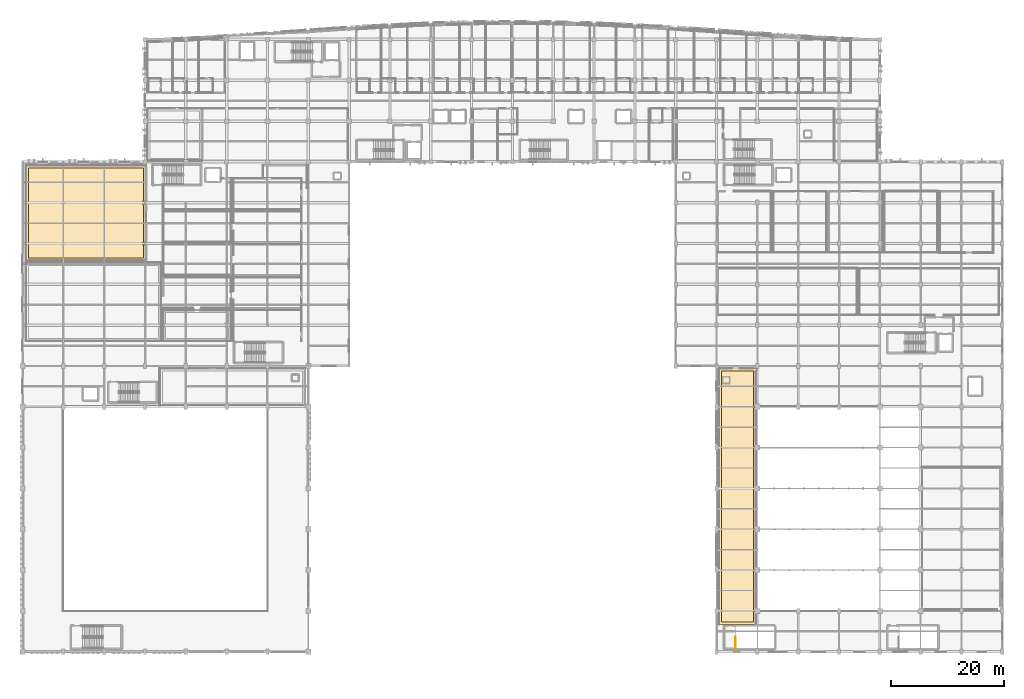
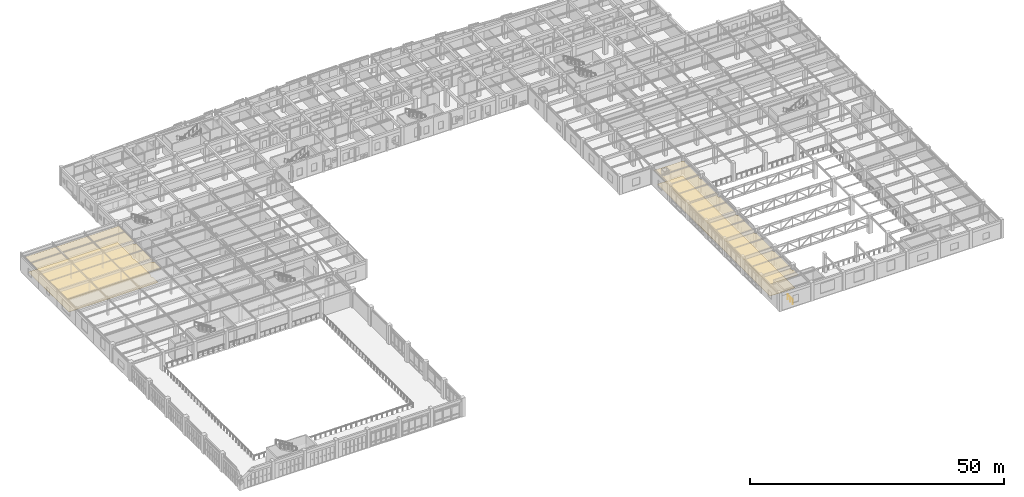
# One storey, part 98 of 106: 4 coverings, 1 railing.
"""IFC4 building model written with IfcOpenShell, lengths in metres."""

from ifc_helpers import new_model, si_unit, direction, frame, origin, origin_2d, place, context, subcontext, project, spatial, polyline, circle, outline, extrude, material, layer, layer_set, type_object, element, save


model = new_model("IFC4")

# Units and contexts
model_context = context("Model", 3, precision=1e-05, world=origin(), true_north=direction((0.0, 1.0)))
body_context = subcontext(model_context, "Body", "Model", "MODEL_VIEW")
ifc_project = project(units=[si_unit("LENGTHUNIT", "METRE"), si_unit("AREAUNIT", "SQUARE_METRE"), si_unit("VOLUMEUNIT", "CUBIC_METRE"), si_unit("PLANEANGLEUNIT", "RADIAN"), si_unit("MASSUNIT", "GRAM", prefix="KILO")], contexts=[model_context])

# Site, building, storey
site_placement = place(None, origin())
site = spatial("IfcSite", under=ifc_project, at=site_placement, CompositionType="ELEMENT")
building_placement = place(site_placement, origin())
building = spatial("IfcBuilding", under=site, at=building_placement, Name="Carrowvane Square Congress Hotel", CompositionType="ELEMENT")
storey_placement = place(building_placement, frame((0.0, 0.0, 10.5)))
storey = spatial("IfcBuildingStorey", under=building, at=storey_placement, Name="L02", CompositionType="ELEMENT", Elevation=10.5)

# Coverings
ifc_material_1 = material(Name="Acoustic gypsum board", Category="gypsum")
ifc_layer_1 = layer(ifc_material_1, 0.02001953125)
ifc_layer_set_1 = layer_set([ifc_layer_1], Name="Acoustic gypsum board")
covering_type_1 = type_object("IfcCoveringType", Name="COV-CLG-AC20", PredefinedType="CEILING", material=ifc_layer_set_1)
covering_1_placement = place(storey_placement, frame((0.0, 0.0, 3.22314453125)))
element("IfcCovering", 1, at=covering_1_placement, inside=storey, type_object=covering_type_1, Name="L02 Ballroom Upper Mezzanine Gallery acoustic ceiling", PredefinedType="CEILING", context=body_context, shape_type="SweptSolid", body=[
    extrude(outline(polyline([(134.3798828125, 55.39990234375), (134.380126953125, 55.402099609375), (134.38037109375, 55.40380859375), (134.380859375, 55.40576171875), (134.381591796875, 55.40771484375), (134.38232421875, 55.409423828125), (134.38330078125, 55.4111328125), (134.384521484375, 55.41259765625), (134.385986328125, 55.4140625), (134.38720703125, 55.41552734375), (134.388916015625, 55.41650390625), (134.390625, 55.41748046875), (134.392333984375, 55.41845703125), (134.394287109375, 55.419189453125), (134.39599609375, 55.419677734375), (134.39794921875, 55.419921875), (134.39990234375, 55.419921875), (140.87548828125, 55.419921875), (140.8828125, 55.41357421875), (140.922119140625, 55.38427734375), (140.96435546875, 55.35888671875), (141.0087890625, 55.338134765625), (141.02001953125, 55.333984375), (141.02001953125, 49.06591796875), (141.0087890625, 49.06201171875), (140.96435546875, 49.041015625), (140.922119140625, 49.015625), (140.8828125, 48.986572265625), (140.846435546875, 48.95361328125), (140.8134765625, 48.917236328125), (140.7841796875, 48.877685546875), (140.759033203125, 48.835693359375), (140.738037109375, 48.791259765625), (140.721435546875, 48.7451171875), (140.709716796875, 48.697509765625), (140.702392578125, 48.64892578125), (140.699951171875, 48.60009765625), (140.702392578125, 48.551025390625), (140.709716796875, 48.50244140625), (140.721435546875, 48.454833984375), (140.738037109375, 48.40869140625), (140.759033203125, 48.3642578125), (140.7841796875, 48.322265625), (140.8134765625, 48.28271484375), (140.846435546875, 48.246337890625), (140.8828125, 48.21337890625), (140.922119140625, 48.184326171875), (140.96435546875, 48.158935546875), (141.0087890625, 48.13818359375), (141.02001953125, 48.134033203125), (141.02001953125, 41.865966796875), (141.0087890625, 41.86181640625), (140.96435546875, 41.841064453125), (140.922119140625, 41.815673828125), (140.8828125, 41.78662109375), (140.846435546875, 41.753662109375), (140.8134765625, 41.71728515625), (140.7841796875, 41.677734375), (140.759033203125, 41.6357421875), (140.738037109375, 41.59130859375), (140.721435546875, 41.545166015625), (140.709716796875, 41.49755859375), (140.702392578125, 41.448974609375), (140.699951171875, 41.39990234375), (140.702392578125, 41.35107421875), (140.709716796875, 41.302490234375), (140.721435546875, 41.2548828125), (140.738037109375, 41.208740234375), (140.759033203125, 41.164306640625), (140.7841796875, 41.122314453125), (140.8134765625, 41.082763671875), (140.846435546875, 41.04638671875), (140.8828125, 41.013427734375), (140.922119140625, 40.984375), (140.96435546875, 40.958984375), (141.0087890625, 40.93798828125), (141.02001953125, 40.93408203125), (141.02001953125, 34.666015625), (141.0087890625, 34.661865234375), (140.96435546875, 34.64111328125), (140.922119140625, 34.61572265625), (140.8828125, 34.58642578125), (140.846435546875, 34.5537109375), (140.8134765625, 34.51708984375), (140.7841796875, 34.477783203125), (140.759033203125, 34.435791015625), (140.738037109375, 34.391357421875), (140.721435546875, 34.34521484375), (140.709716796875, 34.297607421875), (140.702392578125, 34.2490234375), (140.699951171875, 34.199951171875), (140.702392578125, 34.15087890625), (140.709716796875, 34.1025390625), (140.721435546875, 34.054931640625), (140.738037109375, 34.0087890625), (140.759033203125, 33.96435546875), (140.7841796875, 33.922119140625), (140.8134765625, 33.8828125), (140.846435546875, 33.846435546875), (140.8828125, 33.8134765625), (140.922119140625, 33.7841796875), (140.96435546875, 33.759033203125), (141.0087890625, 33.738037109375), (141.02001953125, 33.73388671875), (141.02001953125, 27.466064453125), (141.0087890625, 27.4619140625), (140.96435546875, 27.44091796875), (140.922119140625, 27.415771484375), (140.8828125, 27.386474609375), (140.846435546875, 27.353515625), (140.8134765625, 27.317138671875), (140.7841796875, 27.27783203125), (140.759033203125, 27.235595703125), (140.738037109375, 27.19140625), (140.721435546875, 27.14501953125), (140.709716796875, 27.097412109375), (140.702392578125, 27.049072265625), (140.699951171875, 27.0), (140.702392578125, 26.950927734375), (140.709716796875, 26.902587890625), (140.721435546875, 26.85498046875), (140.738037109375, 26.80859375), (140.759033203125, 26.764404296875), (140.7841796875, 26.72216796875), (140.8134765625, 26.682861328125), (140.846435546875, 26.646484375), (140.8828125, 26.613525390625), (140.922119140625, 26.584228515625), (140.96435546875, 26.55908203125), (141.0087890625, 26.5380859375), (141.02001953125, 26.533935546875), (141.02001953125, 20.26611328125), (141.0087890625, 20.261962890625), (140.96435546875, 20.240966796875), (140.922119140625, 20.2158203125), (140.8828125, 20.1865234375), (140.846435546875, 20.153564453125), (140.8134765625, 20.1171875), (140.7841796875, 20.077880859375), (140.759033203125, 20.03564453125), (140.738037109375, 19.9912109375), (140.721435546875, 19.945068359375), (140.709716796875, 19.8974609375), (140.702392578125, 19.84912109375), (140.699951171875, 19.800048828125), (140.702392578125, 19.7509765625), (140.709716796875, 19.702392578125), (140.721435546875, 19.65478515625), (140.738037109375, 19.608642578125), (140.759033203125, 19.564208984375), (140.7841796875, 19.522216796875), (140.8134765625, 19.48291015625), (140.846435546875, 19.4462890625), (140.8828125, 19.41357421875), (140.922119140625, 19.38427734375), (140.96435546875, 19.35888671875), (141.0087890625, 19.338134765625), (141.02001953125, 19.333984375), (141.02001953125, 13.06591796875), (141.0087890625, 13.06201171875), (140.96435546875, 13.041015625), (140.922119140625, 13.015625), (140.8828125, 12.986572265625), (140.846435546875, 12.95361328125), (140.8134765625, 12.917236328125), (140.7841796875, 12.877685546875), (140.759033203125, 12.835693359375), (140.738037109375, 12.791259765625), (140.721435546875, 12.7451171875), (140.709716796875, 12.697509765625), (140.702392578125, 12.64892578125), (140.699951171875, 12.60009765625), (140.702392578125, 12.551025390625), (140.709716796875, 12.50244140625), (140.721435546875, 12.454833984375), (140.738037109375, 12.40869140625), (140.759033203125, 12.3642578125), (140.7841796875, 12.322265625), (140.8134765625, 12.28271484375), (140.846435546875, 12.246337890625), (140.8828125, 12.21337890625), (140.922119140625, 12.184326171875), (140.96435546875, 12.158935546875), (141.0087890625, 12.13818359375), (141.02001953125, 12.134033203125), (141.02001953125, 10.199951171875), (141.02001953125, 10.197998046875), (141.01953125, 10.196044921875), (141.01904296875, 10.194091796875), (141.0185546875, 10.1923828125), (141.017578125, 10.190673828125), (141.0166015625, 10.18896484375), (141.015380859375, 10.187255859375), (141.01416015625, 10.185791015625), (141.0126953125, 10.1845703125), (141.010986328125, 10.183349609375), (141.009521484375, 10.182373046875), (141.0078125, 10.181396484375), (141.005859375, 10.180908203125), (141.00390625, 10.180419921875), (141.001953125, 10.18017578125), (141.0, 10.179931640625), (134.39990234375, 10.179931640625), (134.39794921875, 10.18017578125), (134.39599609375, 10.180419921875), (134.394287109375, 10.180908203125), (134.392333984375, 10.181396484375), (134.390625, 10.182373046875), (134.388916015625, 10.183349609375), (134.38720703125, 10.1845703125), (134.385986328125, 10.185791015625), (134.384521484375, 10.187255859375), (134.38330078125, 10.18896484375), (134.38232421875, 10.190673828125), (134.381591796875, 10.1923828125), (134.380859375, 10.194091796875), (134.38037109375, 10.196044921875), (134.380126953125, 10.197998046875), (134.3798828125, 10.199951171875), (134.3798828125, 12.275634765625), (134.386474609375, 12.28271484375), (134.415771484375, 12.322265625), (134.44091796875, 12.3642578125), (134.4619140625, 12.40869140625), (134.478515625, 12.454833984375), (134.490478515625, 12.50244140625), (134.49755859375, 12.551025390625), (134.5, 12.60009765625), (134.49755859375, 12.64892578125), (134.490478515625, 12.697509765625), (134.478515625, 12.7451171875), (134.4619140625, 12.791259765625), (134.44091796875, 12.835693359375), (134.415771484375, 12.877685546875), (134.386474609375, 12.917236328125), (134.3798828125, 12.92431640625), (134.3798828125, 19.4755859375), (134.386474609375, 19.48291015625), (134.415771484375, 19.522216796875), (134.44091796875, 19.564208984375), (134.4619140625, 19.608642578125), (134.478515625, 19.65478515625), (134.490478515625, 19.702392578125), (134.49755859375, 19.7509765625), (134.5, 19.800048828125), (134.49755859375, 19.84912109375), (134.490478515625, 19.8974609375), (134.478515625, 19.945068359375), (134.4619140625, 19.9912109375), (134.44091796875, 20.03564453125), (134.415771484375, 20.077880859375), (134.386474609375, 20.1171875), (134.3798828125, 20.12451171875), (134.3798828125, 26.675537109375), (134.386474609375, 26.682861328125), (134.415771484375, 26.72216796875), (134.44091796875, 26.764404296875), (134.4619140625, 26.80859375), (134.478515625, 26.85498046875), (134.490478515625, 26.902587890625), (134.49755859375, 26.950927734375), (134.5, 27.0), (134.49755859375, 27.049072265625), (134.490478515625, 27.097412109375), (134.478515625, 27.14501953125), (134.4619140625, 27.19140625), (134.44091796875, 27.235595703125), (134.415771484375, 27.27783203125), (134.386474609375, 27.317138671875), (134.3798828125, 27.324462890625), (134.3798828125, 33.87548828125), (134.386474609375, 33.8828125), (134.415771484375, 33.922119140625), (134.44091796875, 33.96435546875), (134.4619140625, 34.0087890625), (134.478515625, 34.054931640625), (134.490478515625, 34.1025390625), (134.49755859375, 34.15087890625), (134.5, 34.199951171875), (134.49755859375, 34.2490234375), (134.490478515625, 34.297607421875), (134.478515625, 34.34521484375), (134.4619140625, 34.391357421875), (134.44091796875, 34.435791015625), (134.415771484375, 34.477783203125), (134.386474609375, 34.51708984375), (134.3798828125, 34.5244140625), (134.3798828125, 41.07568359375), (134.386474609375, 41.082763671875), (134.415771484375, 41.122314453125), (134.44091796875, 41.164306640625), (134.4619140625, 41.208740234375), (134.478515625, 41.2548828125), (134.490478515625, 41.302490234375), (134.49755859375, 41.35107421875), (134.5, 41.39990234375), (134.49755859375, 41.448974609375), (134.490478515625, 41.49755859375), (134.478515625, 41.545166015625), (134.4619140625, 41.59130859375), (134.44091796875, 41.6357421875), (134.415771484375, 41.677734375), (134.386474609375, 41.71728515625), (134.3798828125, 41.724365234375), (134.3798828125, 48.275634765625), (134.386474609375, 48.28271484375), (134.415771484375, 48.322265625), (134.44091796875, 48.3642578125), (134.4619140625, 48.40869140625), (134.478515625, 48.454833984375), (134.490478515625, 48.50244140625), (134.49755859375, 48.551025390625), (134.5, 48.60009765625), (134.49755859375, 48.64892578125), (134.490478515625, 48.697509765625), (134.478515625, 48.7451171875), (134.4619140625, 48.791259765625), (134.44091796875, 48.835693359375), (134.415771484375, 48.877685546875), (134.386474609375, 48.917236328125), (134.3798828125, 48.92431640625), (134.3798828125, 55.39990234375)])), origin(), (0.0, 0.0, 1.0), 0.02001953125),
])
ifc_material_2 = material(Name="Anodised aluminium", Category="aluminium")
ifc_layer_2 = layer(ifc_material_2, 0.030029296875)
ifc_layer_set_2 = layer_set([ifc_layer_2], Name="Anodised aluminium")
covering_type_2 = type_object("IfcCoveringType", Name="COV-CLG-MT30", PredefinedType="CEILING", material=ifc_layer_set_2)
covering_2_placement = place(storey_placement, frame((0.0, 0.0, 3.47509765625)))
element("IfcCovering", 2, at=covering_2_placement, inside=storey, type_object=covering_type_2, Name="L02 Mindfulness Yoga and Pilates Studio acoustic ceiling", PredefinedType="CEILING", context=body_context, shape_type="SweptSolid", body=[
    extrude(outline(polyline([(33.301513671875, 84.26513671875), (33.333984375, 84.276611328125), (33.364990234375, 84.291259765625), (33.394287109375, 84.30908203125), (33.419921875, 84.327880859375), (33.419921875, 77.672119140625), (33.394287109375, 77.69091796875), (33.364990234375, 77.708740234375), (33.333984375, 77.723388671875), (33.301513671875, 77.73486328125), (33.268310546875, 77.743408203125), (33.234375, 77.748291015625), (33.199951171875, 77.75), (33.165771484375, 77.748291015625), (33.131591796875, 77.743408203125), (33.098388671875, 77.73486328125), (33.066162109375, 77.723388671875), (33.034912109375, 77.708740234375), (33.005615234375, 77.69091796875), (32.97802734375, 77.670654296875), (32.952392578125, 77.6474609375), (32.929443359375, 77.6220703125), (32.908935546875, 77.594482421875), (32.891357421875, 77.56494140625), (32.876708984375, 77.533935546875), (32.864990234375, 77.501708984375), (32.856689453125, 77.46826171875), (32.851806640625, 77.434326171875), (32.85009765625, 77.39990234375), (32.851806640625, 77.36572265625), (32.856689453125, 77.331787109375), (32.864990234375, 77.29833984375), (32.876708984375, 77.26611328125), (32.891357421875, 77.235107421875), (32.908935546875, 77.20556640625), (32.929443359375, 77.177978515625), (32.952392578125, 77.152587890625), (32.97802734375, 77.12939453125), (33.005615234375, 77.10888671875), (33.034912109375, 77.09130859375), (33.066162109375, 77.07666015625), (33.098388671875, 77.065185546875), (33.131591796875, 77.056640625), (33.165771484375, 77.0517578125), (33.199951171875, 77.050048828125), (33.234375, 77.0517578125), (33.268310546875, 77.056640625), (33.301513671875, 77.065185546875), (33.333984375, 77.07666015625), (33.364990234375, 77.09130859375), (33.394287109375, 77.10888671875), (33.419921875, 77.1279296875), (33.419921875, 74.39990234375), (33.419921875, 74.39794921875), (33.419677734375, 74.39599609375), (33.419189453125, 74.394287109375), (33.41845703125, 74.392333984375), (33.41748046875, 74.390625), (33.41650390625, 74.388916015625), (33.41552734375, 74.38720703125), (33.4140625, 74.385986328125), (33.41259765625, 74.384521484375), (33.4111328125, 74.38330078125), (33.409423828125, 74.38232421875), (33.40771484375, 74.381591796875), (33.40576171875, 74.380859375), (33.40380859375, 74.38037109375), (33.402099609375, 74.380126953125), (33.39990234375, 74.3798828125), (12.199951171875, 74.3798828125), (12.197998046875, 74.380126953125), (12.196044921875, 74.38037109375), (12.194091796875, 74.380859375), (12.1923828125, 74.381591796875), (12.190673828125, 74.38232421875), (12.18896484375, 74.38330078125), (12.187255859375, 74.384521484375), (12.185791015625, 74.385986328125), (12.1845703125, 74.38720703125), (12.183349609375, 74.388916015625), (12.182373046875, 74.390625), (12.181396484375, 74.392333984375), (12.180908203125, 74.394287109375), (12.180419921875, 74.39599609375), (12.18017578125, 74.39794921875), (12.179931640625, 74.39990234375), (12.179931640625, 91.199951171875), (12.18017578125, 91.201904296875), (12.180419921875, 91.203857421875), (12.180908203125, 91.205810546875), (12.181396484375, 91.207763671875), (12.182373046875, 91.20947265625), (12.183349609375, 91.211181640625), (12.1845703125, 91.212646484375), (12.185791015625, 91.214111328125), (12.187255859375, 91.215576171875), (12.18896484375, 91.216552734375), (12.190673828125, 91.217529296875), (12.1923828125, 91.218505859375), (12.194091796875, 91.218994140625), (12.196044921875, 91.219482421875), (12.197998046875, 91.219970703125), (12.199951171875, 91.219970703125), (33.39990234375, 91.219970703125), (33.402099609375, 91.219970703125), (33.40380859375, 91.219482421875), (33.40576171875, 91.218994140625), (33.40771484375, 91.218505859375), (33.409423828125, 91.217529296875), (33.4111328125, 91.216552734375), (33.41259765625, 91.215576171875), (33.4140625, 91.214111328125), (33.41552734375, 91.212646484375), (33.41650390625, 91.211181640625), (33.41748046875, 91.20947265625), (33.41845703125, 91.207763671875), (33.419189453125, 91.205810546875), (33.419677734375, 91.203857421875), (33.419921875, 91.201904296875), (33.419921875, 91.199951171875), (33.419921875, 84.8720703125), (33.394287109375, 84.89111328125), (33.364990234375, 84.90869140625), (33.333984375, 84.92333984375), (33.301513671875, 84.934814453125), (33.268310546875, 84.943359375), (33.234375, 84.9482421875), (33.199951171875, 84.949951171875), (33.165771484375, 84.9482421875), (33.131591796875, 84.943359375), (33.098388671875, 84.934814453125), (33.066162109375, 84.92333984375), (33.034912109375, 84.90869140625), (33.005615234375, 84.89111328125), (32.97802734375, 84.87060546875), (32.952392578125, 84.847412109375), (32.929443359375, 84.822021484375), (32.908935546875, 84.79443359375), (32.891357421875, 84.764892578125), (32.876708984375, 84.73388671875), (32.864990234375, 84.70166015625), (32.856689453125, 84.668212890625), (32.851806640625, 84.63427734375), (32.85009765625, 84.60009765625), (32.851806640625, 84.565673828125), (32.856689453125, 84.53173828125), (32.864990234375, 84.498291015625), (32.876708984375, 84.466064453125), (32.891357421875, 84.43505859375), (32.908935546875, 84.405517578125), (32.929443359375, 84.3779296875), (32.952392578125, 84.3525390625), (32.97802734375, 84.329345703125), (33.005615234375, 84.30908203125), (33.034912109375, 84.291259765625), (33.066162109375, 84.276611328125), (33.098388671875, 84.26513671875), (33.131591796875, 84.256591796875), (33.165771484375, 84.251708984375), (33.199951171875, 84.25), (33.234375, 84.251708984375), (33.268310546875, 84.256591796875), (33.301513671875, 84.26513671875)])), origin(), (0.0, 0.0, 1.0), 0.02978515625),
])
ifc_material_3 = material(Name="European oak timber", Category="wood")
ifc_layer_3 = layer(ifc_material_3, 0.013916015625)
ifc_layer_set_3 = layer_set([ifc_layer_3], Name="European oak timber")
covering_type_3 = type_object("IfcCoveringType", Name="COV-FLR-CRP14", PredefinedType="FLOORING", material=ifc_layer_set_3)
covering_3_placement = place(storey_placement, origin())
element("IfcCovering", 3, at=covering_3_placement, inside=storey, type_object=covering_type_3, Name="L02 Mindfulness Yoga and Pilates Studio floor finish", PredefinedType="FLOORING", context=body_context, shape_type="SweptSolid", body=[
    extrude(outline(polyline([(32.8828125, 77.013427734375), (32.922119140625, 76.984375), (32.949951171875, 76.967529296875), (32.949951171875, 74.85009765625), (12.64990234375, 74.85009765625), (12.64990234375, 90.75), (32.949951171875, 90.75), (32.949951171875, 85.032470703125), (32.922119140625, 85.015625), (32.8828125, 84.986572265625), (32.846435546875, 84.95361328125), (32.8134765625, 84.917236328125), (32.7841796875, 84.877685546875), (32.759033203125, 84.835693359375), (32.738037109375, 84.791259765625), (32.721435546875, 84.7451171875), (32.709716796875, 84.697509765625), (32.702392578125, 84.64892578125), (32.699951171875, 84.60009765625), (32.702392578125, 84.551025390625), (32.709716796875, 84.50244140625), (32.721435546875, 84.454833984375), (32.738037109375, 84.40869140625), (32.759033203125, 84.3642578125), (32.7841796875, 84.322265625), (32.8134765625, 84.28271484375), (32.846435546875, 84.246337890625), (32.8828125, 84.21337890625), (32.922119140625, 84.184326171875), (32.949951171875, 84.16748046875), (32.949951171875, 77.83251953125), (32.922119140625, 77.815673828125), (32.8828125, 77.78662109375), (32.846435546875, 77.753662109375), (32.8134765625, 77.71728515625), (32.7841796875, 77.677734375), (32.759033203125, 77.6357421875), (32.738037109375, 77.59130859375), (32.721435546875, 77.545166015625), (32.709716796875, 77.49755859375), (32.702392578125, 77.448974609375), (32.699951171875, 77.39990234375), (32.702392578125, 77.35107421875), (32.709716796875, 77.302490234375), (32.721435546875, 77.2548828125), (32.738037109375, 77.208740234375), (32.759033203125, 77.164306640625), (32.7841796875, 77.122314453125), (32.8134765625, 77.082763671875), (32.846435546875, 77.04638671875), (32.8828125, 77.013427734375)])), origin(), (0.0, 0.0, 1.0), 0.013916015625),
])
ifc_material_4 = material(Name="Ceramic porcelain tile", Category="stone")
ifc_layer_4 = layer(ifc_material_4, 0.02197265625)
ifc_layer_set_4 = layer_set([ifc_layer_4], Name="Ceramic porcelain tile")
covering_type_4 = type_object("IfcCoveringType", Name="COV-FLR-TRZ22", PredefinedType="FLOORING", material=ifc_layer_set_4)
covering_4_placement = place(storey_placement, origin())
element("IfcCovering", 4, at=covering_4_placement, inside=storey, type_object=covering_type_4, Name="L02 Ballroom Upper Mezzanine Gallery floor finish", PredefinedType="FLOORING", context=body_context, shape_type="SweptSolid", body=[
    extrude(outline(polyline([(140.550048828125, 12.60009765625), (140.550048828125, 12.60009765625), (140.550048828125, 10.64990234375), (134.85009765625, 10.64990234375), (134.85009765625, 54.949951171875), (140.550048828125, 54.949951171875), (140.550048828125, 48.60009765625), (140.550048828125, 48.60009765625), (140.550048828125, 48.60009765625), (140.550048828125, 41.39990234375), (140.550048828125, 41.39990234375), (140.550048828125, 41.39990234375), (140.550048828125, 34.199951171875), (140.550048828125, 34.199951171875), (140.550048828125, 34.199951171875), (140.550048828125, 27.0), (140.550048828125, 27.0), (140.550048828125, 27.0), (140.550048828125, 19.800048828125), (140.550048828125, 19.800048828125), (140.550048828125, 19.800048828125), (140.550048828125, 12.60009765625), (140.550048828125, 12.60009765625)])), origin(), (0.0, 0.0, 1.0), 0.02197265625),
])

# Railing
ifc_material_5 = material(Name="Galvanised steel", Category="steel")
ifc_layer_5 = layer(ifc_material_5, 0.048095703125)
ifc_layer_set_5 = layer_set([ifc_layer_5], Name="Galvanised steel")
railing_type = type_object("IfcRailingType", Name="RLG-STG-1100", PredefinedType="GUARDRAIL", material=ifc_layer_set_5)
railing_placement = place(storey_placement, frame((137.35009765625, 6.0, 0.0)))
element("IfcRailing", 5, at=railing_placement, inside=storey, type_object=railing_type, Name="L02 ST10 top well guard 1", PredefinedType="GUARDRAIL", context=body_context, shape_type="SweptSolid", body=[
    extrude(circle(Radius=0.02392578125, at=origin_2d()), frame((0.0, 0.0, 1.076171875), z_axis=(0.0, 1.0, 0.0), x_axis=(-1.0, 0.0, 0.0)), (0.0, 0.0, 1.0), 2.050048828125),
    extrude(circle(Radius=0.02099609375, at=origin_2d()), origin(), (0.0, 0.0, 1.0), 1.052001953125),
    extrude(circle(Radius=0.02099609375, at=origin_2d()), frame((0.0, 1.02490234375, 0.0)), (0.0, 0.0, 1.0), 1.052001953125),
    extrude(circle(Radius=0.02099609375, at=origin_2d()), frame((0.0, 2.050048828125, 0.0)), (0.0, 0.0, 1.0), 1.052001953125),
])

save(model, "model.ifc")
